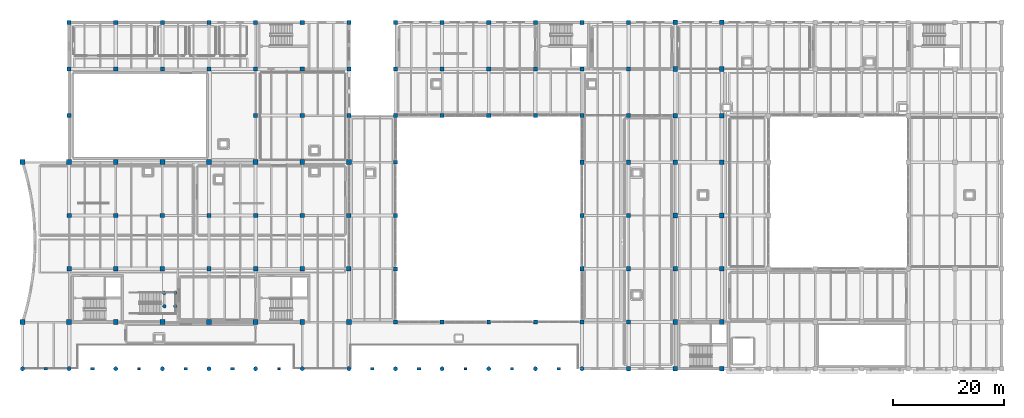
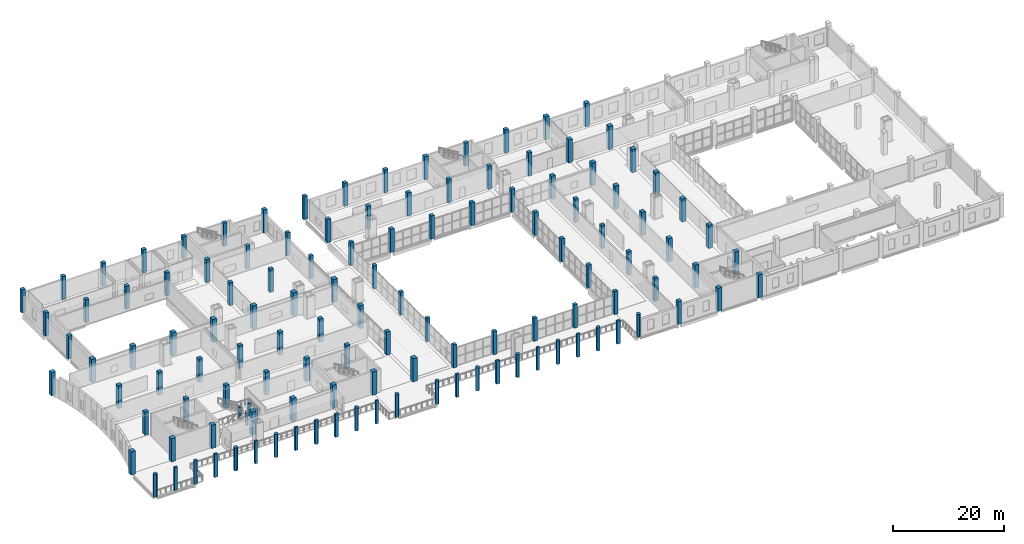
# One storey, part 1 of 66: 126 columns.
"""IFC4 building model written with IfcOpenShell, lengths in metres."""

from ifc_helpers import new_model, si_unit, direction, frame, origin, origin_2d, place, context, subcontext, project, spatial, rectangle, circle, extrude, material, material_profile, profile_set, type_object, element, save


model = new_model("IFC4")

# Units and contexts
model_context = context("Model", 3, precision=1e-05, world=origin(), true_north=direction((0.0, 1.0)))
body_context = subcontext(model_context, "Body", "Model", "MODEL_VIEW")
ifc_project = project(units=[si_unit("LENGTHUNIT", "METRE"), si_unit("AREAUNIT", "SQUARE_METRE"), si_unit("VOLUMEUNIT", "CUBIC_METRE"), si_unit("PLANEANGLEUNIT", "RADIAN"), si_unit("MASSUNIT", "GRAM", prefix="KILO")], contexts=[model_context])

# Site, building, storey
site_placement = place(None, origin())
site = spatial("IfcSite", under=ifc_project, at=site_placement, CompositionType="ELEMENT")
building_placement = place(site_placement, origin())
building = spatial("IfcBuilding", under=site, at=building_placement, Name="Zulmaris Art Gallery", CompositionType="ELEMENT")
storey_placement = place(building_placement, frame((0.0, 0.0, 5.39990234375)))
storey = spatial("IfcBuildingStorey", under=building, at=storey_placement, Name="L01", CompositionType="ELEMENT", Elevation=5.39990234375)

# Columns
ifc_material_1 = material(Name="Concrete C40/50", Category="concrete")
ifc_material_profile_1 = material_profile(ifc_material_1, circle(Radius=0.324951171875, at=origin_2d()), Name="COL DIA 650")
ifc_profile_set_1 = profile_set([ifc_material_profile_1], Name="Concrete C40/50")
column_type_1 = type_object("IfcColumnType", Name="COL-COL-DIA-650", PredefinedType="COLUMN", material=ifc_profile_set_1)
for number, where, z_axis, x_axis, name in (
    (1, (49.550048828125, 24.449951171875, 0.0), (0.0, 0.0, 1.0), (1.0, 0.0, 0.0), "Grand stair ST6 L01 landing column 1"),
    (2, (51.550048828125, 24.449951171875, 0.0), (0.0, 0.0, 1.0), (1.0, 0.0, 0.0), "Grand stair ST6 L01 landing column 2"),
    (3, (49.550048828125, 26.85009765625, 0.0), (0.0, 0.0, 1.0), (1.0, 0.0, 0.0), "Grand stair ST6 L01 landing column 3"),
    (4, (51.550048828125, 26.85009765625, 0.0), (0.0, 0.0, 1.0), (1.0, 0.0, 0.0), "Grand stair ST6 L01 landing column 4"),
):
    element("IfcColumn", number, at=place(storey_placement, frame(where, z_axis=z_axis, x_axis=x_axis)), inside=storey, type_object=column_type_1, Name=name, PredefinedType="COLUMN", context=body_context, shape_type="SweptSolid", body=[
        extrude(circle(Radius=0.324951171875, at=origin_2d()), origin(), (0.0, 0.0, 1.0), 2.800048828125),
    ])
ifc_material_profile_2 = material_profile(ifc_material_1, circle(Radius=0.375, at=origin_2d()), Name="COL DIA 750")
ifc_profile_set_2 = profile_set([ifc_material_profile_2], Name="Concrete C40/50")
column_type_2 = type_object("IfcColumnType", Name="COL-COL-DIA-750", PredefinedType="COLUMN", material=ifc_profile_set_2)
for number, where, z_axis, x_axis, name in (
    (5, (24.0, 13.199951171875, 0.0), (0.0, 0.0, 1.0), (1.0, 0.0, 0.0), "L01 structural column (24.0, 13.2)"),
    (6, (32.39990234375, 13.199951171875, 0.0), (0.0, 0.0, 1.0), (1.0, 0.0, 0.0), "L01 structural column (32.4, 13.2)"),
    (7, (40.800048828125, 13.199951171875, 0.0), (0.0, 0.0, 1.0), (1.0, 0.0, 0.0), "L01 structural column (40.8, 13.2)"),
    (8, (49.199951171875, 13.199951171875, 0.0), (0.0, 0.0, 1.0), (1.0, 0.0, 0.0), "L01 structural column (49.2, 13.2)"),
    (9, (57.60009765625, 13.199951171875, 0.0), (0.0, 0.0, 1.0), (1.0, 0.0, 0.0), "L01 structural column (57.6, 13.2)"),
    (10, (66.0, 13.199951171875, 0.0), (0.0, 0.0, 1.0), (1.0, 0.0, 0.0), "L01 structural column (66.0, 13.2)"),
    (11, (74.39990234375, 13.199951171875, 0.0), (0.0, 0.0, 1.0), (1.0, 0.0, 0.0), "L01 structural column (74.4, 13.2)"),
    (12, (82.800048828125, 13.199951171875, 0.0), (0.0, 0.0, 1.0), (1.0, 0.0, 0.0), "L01 structural column (82.8, 13.2)"),
    (13, (91.199951171875, 13.199951171875, 0.0), (0.0, 0.0, 1.0), (1.0, 0.0, 0.0), "L01 structural column (91.2, 13.2)"),
    (14, (99.60009765625, 13.199951171875, 0.0), (0.0, 0.0, 1.0), (1.0, 0.0, 0.0), "L01 structural column (99.6, 13.2)"),
    (15, (108.0, 13.199951171875, 0.0), (0.0, 0.0, 1.0), (1.0, 0.0, 0.0), "L01 structural column (108.0, 13.2)"),
    (16, (116.39990234375, 13.199951171875, 0.0), (0.0, 0.0, 1.0), (1.0, 0.0, 0.0), "L01 structural column (116.4, 13.2)"),
    (17, (124.800048828125, 13.199951171875, 0.0), (0.0, 0.0, 1.0), (1.0, 0.0, 0.0), "L01 structural column (124.8, 13.2)"),
):
    element("IfcColumn", number, at=place(storey_placement, frame(where, z_axis=z_axis, x_axis=x_axis)), inside=storey, type_object=column_type_2, Name=name, PredefinedType="COLUMN", context=body_context, shape_type="SweptSolid", body=[
        extrude(circle(Radius=0.375, at=origin_2d()), origin(), (0.0, 0.0, 1.0), 5.10009765625),
    ])
ifc_material_profile_3 = material_profile(ifc_material_1, rectangle(XDim=0.699951171875, YDim=0.699951171875, at=origin_2d()), Name="RC 700x700")
ifc_profile_set_3 = profile_set([ifc_material_profile_3], Name="Concrete C40/50")
column_type_3 = type_object("IfcColumnType", Name="COL-RC-700x700", PredefinedType="COLUMN", material=ifc_profile_set_3)
for number, where, z_axis, x_axis, name in (
    (18, (82.800048828125, 58.800048828125, 0.0), (0.0, 0.0, 1.0), (1.0, 0.0, 0.0), "L01 structural column (82.8, 58.8)"),
    (19, (91.199951171875, 21.60009765625, 0.0), (0.0, 0.0, 1.0), (1.0, 0.0, 0.0), "L01 structural column (91.2, 21.6)"),
    (20, (91.199951171875, 31.199951171875, 0.0), (0.0, 0.0, 1.0), (1.0, 0.0, 0.0), "L01 structural column (91.2, 31.2)"),
    (21, (91.199951171875, 40.800048828125, 0.0), (0.0, 0.0, 1.0), (1.0, 0.0, 0.0), "L01 structural column (91.2, 40.8)"),
    (22, (91.199951171875, 50.39990234375, 0.0), (0.0, 0.0, 1.0), (1.0, 0.0, 0.0), "L01 structural column (91.2, 50.4)"),
    (23, (91.199951171875, 58.800048828125, 0.0), (0.0, 0.0, 1.0), (1.0, 0.0, 0.0), "L01 structural column (91.2, 58.8)"),
    (24, (99.60009765625, 21.60009765625, 0.0), (0.0, 0.0, 1.0), (1.0, 0.0, 0.0), "L01 structural column (99.6, 21.6)"),
    (25, (108.0, 21.60009765625, 0.0), (0.0, 0.0, 1.0), (1.0, 0.0, 0.0), "L01 structural column (108.0, 21.6)"),
    (26, (116.39990234375, 21.60009765625, 0.0), (0.0, 0.0, 1.0), (1.0, 0.0, 0.0), "L01 structural column (116.4, 21.6)"),
    (27, (124.800048828125, 21.60009765625, 0.0), (0.0, 0.0, 1.0), (1.0, 0.0, 0.0), "L01 structural column (124.8, 21.6)"),
):
    element("IfcColumn", number, at=place(storey_placement, frame(where, z_axis=z_axis, x_axis=x_axis)), inside=storey, type_object=column_type_3, Name=name, PredefinedType="COLUMN", context=body_context, shape_type="SweptSolid", body=[
        extrude(rectangle(XDim=0.699951171875, YDim=0.699951171875, at=origin_2d()), origin(), (0.0, 0.0, 1.0), 5.10009765625),
    ])
ifc_material_profile_4 = material_profile(ifc_material_1, rectangle(XDim=0.75, YDim=0.75, at=origin_2d()), Name="RC 750x750")
ifc_profile_set_4 = profile_set([ifc_material_profile_4], Name="Concrete C40/50")
column_type_4 = type_object("IfcColumnType", Name="COL-RC-750x750", PredefinedType="COLUMN", material=ifc_profile_set_4)
for number, where, z_axis, x_axis, name in (
    (28, (32.39990234375, 58.800048828125, 0.0), (0.0, 0.0, 1.0), (1.0, 0.0, 0.0), "L01 structural column (32.4, 58.8)"),
    (29, (32.39990234375, 67.199951171875, 0.0), (0.0, 0.0, 1.0), (1.0, 0.0, 0.0), "L01 structural column (32.4, 67.2)"),
    (30, (32.39990234375, 75.60009765625, 0.0), (0.0, 0.0, 1.0), (1.0, 0.0, 0.0), "L01 structural column (32.4, 75.6)"),
    (31, (40.800048828125, 67.199951171875, 0.0), (0.0, 0.0, 1.0), (1.0, 0.0, 0.0), "L01 structural column (40.8, 67.2)"),
    (32, (40.800048828125, 75.60009765625, 0.0), (0.0, 0.0, 1.0), (1.0, 0.0, 0.0), "L01 structural column (40.8, 75.6)"),
    (33, (49.199951171875, 67.199951171875, 0.0), (0.0, 0.0, 1.0), (1.0, 0.0, 0.0), "L01 structural column (49.2, 67.2)"),
    (34, (49.199951171875, 75.60009765625, 0.0), (0.0, 0.0, 1.0), (1.0, 0.0, 0.0), "L01 structural column (49.2, 75.6)"),
    (35, (57.60009765625, 67.199951171875, 0.0), (0.0, 0.0, 1.0), (1.0, 0.0, 0.0), "L01 structural column (57.6, 67.2)"),
    (36, (57.60009765625, 75.60009765625, 0.0), (0.0, 0.0, 1.0), (1.0, 0.0, 0.0), "L01 structural column (57.6, 75.6)"),
    (37, (66.0, 58.800048828125, 0.0), (0.0, 0.0, 1.0), (1.0, 0.0, 0.0), "L01 structural column (66.0, 58.8)"),
    (38, (66.0, 67.199951171875, 0.0), (0.0, 0.0, 1.0), (1.0, 0.0, 0.0), "L01 structural column (66.0, 67.2)"),
    (39, (66.0, 75.60009765625, 0.0), (0.0, 0.0, 1.0), (1.0, 0.0, 0.0), "L01 structural column (66.0, 75.6)"),
    (40, (74.39990234375, 58.800048828125, 0.0), (0.0, 0.0, 1.0), (1.0, 0.0, 0.0), "L01 structural column (74.4, 58.8)"),
    (41, (74.39990234375, 67.199951171875, 0.0), (0.0, 0.0, 1.0), (1.0, 0.0, 0.0), "L01 structural column (74.4, 67.2)"),
    (42, (74.39990234375, 75.60009765625, 0.0), (0.0, 0.0, 1.0), (1.0, 0.0, 0.0), "L01 structural column (74.4, 75.6)"),
    (43, (82.800048828125, 67.199951171875, 0.0), (0.0, 0.0, 1.0), (1.0, 0.0, 0.0), "L01 structural column (82.8, 67.2)"),
    (44, (82.800048828125, 75.60009765625, 0.0), (0.0, 0.0, 1.0), (1.0, 0.0, 0.0), "L01 structural column (82.8, 75.6)"),
    (45, (91.199951171875, 67.199951171875, 0.0), (0.0, 0.0, 1.0), (1.0, 0.0, 0.0), "L01 structural column (91.2, 67.2)"),
    (46, (91.199951171875, 75.60009765625, 0.0), (0.0, 0.0, 1.0), (1.0, 0.0, 0.0), "L01 structural column (91.2, 75.6)"),
    (47, (99.60009765625, 58.800048828125, 0.0), (0.0, 0.0, 1.0), (1.0, 0.0, 0.0), "L01 structural column (99.6, 58.8)"),
    (48, (99.60009765625, 67.199951171875, 0.0), (0.0, 0.0, 1.0), (1.0, 0.0, 0.0), "L01 structural column (99.6, 67.2)"),
    (49, (99.60009765625, 75.60009765625, 0.0), (0.0, 0.0, 1.0), (1.0, 0.0, 0.0), "L01 structural column (99.6, 75.6)"),
    (50, (108.0, 58.800048828125, 0.0), (0.0, 0.0, 1.0), (1.0, 0.0, 0.0), "L01 structural column (108.0, 58.8)"),
    (51, (108.0, 67.199951171875, 0.0), (0.0, 0.0, 1.0), (1.0, 0.0, 0.0), "L01 structural column (108.0, 67.2)"),
    (52, (108.0, 75.60009765625, 0.0), (0.0, 0.0, 1.0), (1.0, 0.0, 0.0), "L01 structural column (108.0, 75.6)"),
    (53, (116.39990234375, 58.800048828125, 0.0), (0.0, 0.0, 1.0), (1.0, 0.0, 0.0), "L01 structural column (116.4, 58.8)"),
    (54, (116.39990234375, 67.199951171875, 0.0), (0.0, 0.0, 1.0), (1.0, 0.0, 0.0), "L01 structural column (116.4, 67.2)"),
    (55, (116.39990234375, 75.60009765625, 0.0), (0.0, 0.0, 1.0), (1.0, 0.0, 0.0), "L01 structural column (116.4, 75.6)"),
    (56, (124.800048828125, 31.199951171875, 0.0), (0.0, 0.0, 1.0), (1.0, 0.0, 0.0), "L01 structural column (124.8, 31.2)"),
    (57, (124.800048828125, 40.800048828125, 0.0), (0.0, 0.0, 1.0), (1.0, 0.0, 0.0), "L01 structural column (124.8, 40.8)"),
    (58, (124.800048828125, 50.39990234375, 0.0), (0.0, 0.0, 1.0), (1.0, 0.0, 0.0), "L01 structural column (124.8, 50.4)"),
    (59, (124.800048828125, 58.800048828125, 0.0), (0.0, 0.0, 1.0), (1.0, 0.0, 0.0), "L01 structural column (124.8, 58.8)"),
    (60, (124.800048828125, 67.199951171875, 0.0), (0.0, 0.0, 1.0), (1.0, 0.0, 0.0), "L01 structural column (124.8, 67.2)"),
    (61, (124.800048828125, 75.60009765625, 0.0), (0.0, 0.0, 1.0), (1.0, 0.0, 0.0), "L01 structural column (124.8, 75.6)"),
    (62, (133.199951171875, 13.199951171875, 0.0), (0.0, 0.0, 1.0), (1.0, 0.0, 0.0), "L01 structural column (133.2, 13.2)"),
    (63, (133.199951171875, 21.60009765625, 0.0), (0.0, 0.0, 1.0), (1.0, 0.0, 0.0), "L01 structural column (133.2, 21.6)"),
    (64, (133.199951171875, 31.199951171875, 0.0), (0.0, 0.0, 1.0), (1.0, 0.0, 0.0), "L01 structural column (133.2, 31.2)"),
    (65, (133.199951171875, 40.800048828125, 0.0), (0.0, 0.0, 1.0), (1.0, 0.0, 0.0), "L01 structural column (133.2, 40.8)"),
    (66, (133.199951171875, 50.39990234375, 0.0), (0.0, 0.0, 1.0), (1.0, 0.0, 0.0), "L01 structural column (133.2, 50.4)"),
    (67, (133.199951171875, 58.800048828125, 0.0), (0.0, 0.0, 1.0), (1.0, 0.0, 0.0), "L01 structural column (133.2, 58.8)"),
    (68, (133.199951171875, 67.199951171875, 0.0), (0.0, 0.0, 1.0), (1.0, 0.0, 0.0), "L01 structural column (133.2, 67.2)"),
    (69, (133.199951171875, 75.60009765625, 0.0), (0.0, 0.0, 1.0), (1.0, 0.0, 0.0), "L01 structural column (133.2, 75.6)"),
):
    element("IfcColumn", number, at=place(storey_placement, frame(where, z_axis=z_axis, x_axis=x_axis)), inside=storey, type_object=column_type_4, Name=name, PredefinedType="COLUMN", context=body_context, shape_type="SweptSolid", body=[
        extrude(rectangle(XDim=0.75, YDim=0.75, at=origin_2d()), origin(), (0.0, 0.0, 1.0), 5.10009765625),
    ])
ifc_material_profile_5 = material_profile(ifc_material_1, rectangle(XDim=0.800048828125, YDim=0.800048828125, at=origin_2d()), Name="RC 800x800")
ifc_profile_set_5 = profile_set([ifc_material_profile_5], Name="Concrete C40/50")
column_type_5 = type_object("IfcColumnType", Name="COL-RC-800x800", PredefinedType="COLUMN", material=ifc_profile_set_5)
for number, where, z_axis, x_axis, name in (
    (70, (32.39990234375, 31.199951171875, 0.0), (0.0, 0.0, 1.0), (1.0, 0.0, 0.0), "L01 structural column (32.4, 31.2)"),
    (71, (32.39990234375, 40.800048828125, 0.0), (0.0, 0.0, 1.0), (1.0, 0.0, 0.0), "L01 structural column (32.4, 40.8)"),
    (72, (40.800048828125, 31.199951171875, 0.0), (0.0, 0.0, 1.0), (1.0, 0.0, 0.0), "L01 structural column (40.8, 31.2)"),
    (73, (40.800048828125, 40.800048828125, 0.0), (0.0, 0.0, 1.0), (1.0, 0.0, 0.0), "L01 structural column (40.8, 40.8)"),
    (74, (49.199951171875, 31.199951171875, 0.0), (0.0, 0.0, 1.0), (1.0, 0.0, 0.0), "L01 structural column (49.2, 31.2)"),
    (75, (49.199951171875, 40.800048828125, 0.0), (0.0, 0.0, 1.0), (1.0, 0.0, 0.0), "L01 structural column (49.2, 40.8)"),
    (76, (57.60009765625, 31.199951171875, 0.0), (0.0, 0.0, 1.0), (1.0, 0.0, 0.0), "L01 structural column (57.6, 31.2)"),
    (77, (57.60009765625, 40.800048828125, 0.0), (0.0, 0.0, 1.0), (1.0, 0.0, 0.0), "L01 structural column (57.6, 40.8)"),
    (78, (66.0, 31.199951171875, 0.0), (0.0, 0.0, 1.0), (1.0, 0.0, 0.0), "L01 structural column (66.0, 31.2)"),
    (79, (66.0, 40.800048828125, 0.0), (0.0, 0.0, 1.0), (1.0, 0.0, 0.0), "L01 structural column (66.0, 40.8)"),
    (80, (74.39990234375, 31.199951171875, 0.0), (0.0, 0.0, 1.0), (1.0, 0.0, 0.0), "L01 structural column (74.4, 31.2)"),
    (81, (74.39990234375, 40.800048828125, 0.0), (0.0, 0.0, 1.0), (1.0, 0.0, 0.0), "L01 structural column (74.4, 40.8)"),
    (82, (82.800048828125, 31.199951171875, 0.0), (0.0, 0.0, 1.0), (1.0, 0.0, 0.0), "L01 structural column (82.8, 31.2)"),
    (83, (82.800048828125, 40.800048828125, 0.0), (0.0, 0.0, 1.0), (1.0, 0.0, 0.0), "L01 structural column (82.8, 40.8)"),
):
    element("IfcColumn", number, at=place(storey_placement, frame(where, z_axis=z_axis, x_axis=x_axis)), inside=storey, type_object=column_type_5, Name=name, PredefinedType="COLUMN", context=body_context, shape_type="SweptSolid", body=[
        extrude(rectangle(XDim=0.800048828125, YDim=0.800048828125, at=origin_2d()), origin(), (0.0, 0.0, 1.0), 5.10009765625),
    ])
ifc_material_2 = material(Name="Concrete C50/60", Category="concrete")
ifc_material_profile_6 = material_profile(ifc_material_2, rectangle(XDim=0.85009765625, YDim=0.85009765625, at=origin_2d()), Name="RC 850x850")
ifc_profile_set_6 = profile_set([ifc_material_profile_6], Name="Concrete C50/60")
column_type_6 = type_object("IfcColumnType", Name="COL-RC-850x850", PredefinedType="COLUMN", material=ifc_profile_set_6)
for number, where, z_axis, x_axis, name in (
    (84, (141.60009765625, 13.199951171875, 0.0), (0.0, 0.0, 1.0), (1.0, 0.0, 0.0), "L01 structural column (141.6, 13.2)"),
    (85, (141.60009765625, 21.60009765625, 0.0), (0.0, 0.0, 1.0), (1.0, 0.0, 0.0), "L01 structural column (141.6, 21.6)"),
    (86, (141.60009765625, 31.199951171875, 0.0), (0.0, 0.0, 1.0), (1.0, 0.0, 0.0), "L01 structural column (141.6, 31.2)"),
    (87, (141.60009765625, 40.800048828125, 0.0), (0.0, 0.0, 1.0), (1.0, 0.0, 0.0), "L01 structural column (141.6, 40.8)"),
    (88, (141.60009765625, 50.39990234375, 0.0), (0.0, 0.0, 1.0), (1.0, 0.0, 0.0), "L01 structural column (141.6, 50.4)"),
    (89, (141.60009765625, 58.800048828125, 0.0), (0.0, 0.0, 1.0), (1.0, 0.0, 0.0), "L01 structural column (141.6, 58.8)"),
    (90, (141.60009765625, 67.199951171875, 0.0), (0.0, 0.0, 1.0), (1.0, 0.0, 0.0), "L01 structural column (141.6, 67.2)"),
    (91, (141.60009765625, 75.60009765625, 0.0), (0.0, 0.0, 1.0), (1.0, 0.0, 0.0), "L01 structural column (141.6, 75.6)"),
    (92, (150.0, 13.199951171875, 0.0), (0.0, 0.0, 1.0), (1.0, 0.0, 0.0), "L01 structural column (150.0, 13.2)"),
    (93, (150.0, 21.60009765625, 0.0), (0.0, 0.0, 1.0), (1.0, 0.0, 0.0), "L01 structural column (150.0, 21.6)"),
    (94, (150.0, 31.199951171875, 0.0), (0.0, 0.0, 1.0), (1.0, 0.0, 0.0), "L01 structural column (150.0, 31.2)"),
    (95, (150.0, 40.800048828125, 0.0), (0.0, 0.0, 1.0), (1.0, 0.0, 0.0), "L01 structural column (150.0, 40.8)"),
    (96, (150.0, 50.39990234375, 0.0), (0.0, 0.0, 1.0), (1.0, 0.0, 0.0), "L01 structural column (150.0, 50.4)"),
    (97, (150.0, 58.800048828125, 0.0), (0.0, 0.0, 1.0), (1.0, 0.0, 0.0), "L01 structural column (150.0, 58.8)"),
    (98, (150.0, 67.199951171875, 0.0), (0.0, 0.0, 1.0), (1.0, 0.0, 0.0), "L01 structural column (150.0, 67.2)"),
    (99, (150.0, 75.60009765625, 0.0), (0.0, 0.0, 1.0), (1.0, 0.0, 0.0), "L01 structural column (150.0, 75.6)"),
):
    element("IfcColumn", number, at=place(storey_placement, frame(where, z_axis=z_axis, x_axis=x_axis)), inside=storey, type_object=column_type_6, Name=name, PredefinedType="COLUMN", context=body_context, shape_type="SweptSolid", body=[
        extrude(rectangle(XDim=0.85009765625, YDim=0.85009765625, at=origin_2d()), origin(), (0.0, 0.0, 1.0), 5.10009765625),
    ])
ifc_material_profile_7 = material_profile(ifc_material_2, rectangle(XDim=0.89990234375, YDim=0.89990234375, at=origin_2d()), Name="RC 900x900")
ifc_profile_set_7 = profile_set([ifc_material_profile_7], Name="Concrete C50/60")
column_type_7 = type_object("IfcColumnType", Name="COL-RC-900x900", PredefinedType="COLUMN", material=ifc_profile_set_7)
for number, where, z_axis, x_axis, name in (
    (100, (24.0, 21.60009765625, 0.0), (0.0, 0.0, 1.0), (1.0, 0.0, 0.0), "L01 structural column (24.0, 21.6)"),
    (101, (24.0, 50.39990234375, 0.0), (0.0, 0.0, 1.0), (1.0, 0.0, 0.0), "L01 structural column (24.0, 50.4)"),
    (102, (32.39990234375, 21.60009765625, 0.0), (0.0, 0.0, 1.0), (1.0, 0.0, 0.0), "L01 structural column (32.4, 21.6)"),
    (103, (32.39990234375, 50.39990234375, 0.0), (0.0, 0.0, 1.0), (1.0, 0.0, 0.0), "L01 structural column (32.4, 50.4)"),
    (104, (40.800048828125, 21.60009765625, 0.0), (0.0, 0.0, 1.0), (1.0, 0.0, 0.0), "L01 structural column (40.8, 21.6)"),
    (105, (40.800048828125, 50.39990234375, 0.0), (0.0, 0.0, 1.0), (1.0, 0.0, 0.0), "L01 structural column (40.8, 50.4)"),
    (106, (49.199951171875, 21.60009765625, 0.0), (0.0, 0.0, 1.0), (1.0, 0.0, 0.0), "L01 structural column (49.2, 21.6)"),
    (107, (49.199951171875, 50.39990234375, 0.0), (0.0, 0.0, 1.0), (1.0, 0.0, 0.0), "L01 structural column (49.2, 50.4)"),
    (108, (57.60009765625, 21.60009765625, 0.0), (0.0, 0.0, 1.0), (1.0, 0.0, 0.0), "L01 structural column (57.6, 21.6)"),
    (109, (57.60009765625, 50.39990234375, 0.0), (0.0, 0.0, 1.0), (1.0, 0.0, 0.0), "L01 structural column (57.6, 50.4)"),
    (110, (66.0, 21.60009765625, 0.0), (0.0, 0.0, 1.0), (1.0, 0.0, 0.0), "L01 structural column (66.0, 21.6)"),
    (111, (66.0, 50.39990234375, 0.0), (0.0, 0.0, 1.0), (1.0, 0.0, 0.0), "L01 structural column (66.0, 50.4)"),
    (112, (74.39990234375, 21.60009765625, 0.0), (0.0, 0.0, 1.0), (1.0, 0.0, 0.0), "L01 structural column (74.4, 21.6)"),
    (113, (74.39990234375, 50.39990234375, 0.0), (0.0, 0.0, 1.0), (1.0, 0.0, 0.0), "L01 structural column (74.4, 50.4)"),
    (114, (82.800048828125, 21.60009765625, 0.0), (0.0, 0.0, 1.0), (1.0, 0.0, 0.0), "L01 structural column (82.8, 21.6)"),
    (115, (82.800048828125, 50.39990234375, 0.0), (0.0, 0.0, 1.0), (1.0, 0.0, 0.0), "L01 structural column (82.8, 50.4)"),
):
    element("IfcColumn", number, at=place(storey_placement, frame(where, z_axis=z_axis, x_axis=x_axis)), inside=storey, type_object=column_type_7, Name=name, PredefinedType="COLUMN", context=body_context, shape_type="SweptSolid", body=[
        extrude(rectangle(XDim=0.89990234375, YDim=0.89990234375, at=origin_2d()), origin(), (0.0, 0.0, 1.0), 5.10009765625),
    ])
ifc_material_profile_8 = material_profile(ifc_material_1, rectangle(XDim=0.5, YDim=0.35009765625, at=origin_2d()), Name="PIL 500x350")
ifc_profile_set_8 = profile_set([ifc_material_profile_8], Name="Concrete C40/50")
column_type_8 = type_object("IfcColumnType", Name="PILASTER-01", PredefinedType="PILASTER", material=ifc_profile_set_8)
for number, where, z_axis, x_axis, name in (
    (116, (45.0, 13.199951171875, 0.0), (0.0, 0.0, 1.0), (1.0, 0.0, 0.0), "L01 fluted limestone pilaster 3"),
    (117, (70.199951171875, 13.199951171875, 0.0), (0.0, 0.0, 1.0), (1.0, 0.0, 0.0), "L01 fluted limestone pilaster 6"),
    (118, (103.800048828125, 13.199951171875, 0.0), (0.0, 0.0, 1.0), (1.0, 0.0, 0.0), "L01 fluted limestone pilaster 9"),
):
    element("IfcColumn", number, at=place(storey_placement, frame(where, z_axis=z_axis, x_axis=x_axis)), inside=storey, type_object=column_type_8, Name=name, PredefinedType="PILASTER", context=body_context, shape_type="SweptSolid", body=[
        extrude(rectangle(XDim=0.5, YDim=0.35009765625, at=origin_2d()), origin(), (0.0, 0.0, 1.0), 5.10009765625),
    ])
ifc_material_profile_9 = material_profile(ifc_material_1, rectangle(XDim=0.60009765625, YDim=0.39990234375, at=origin_2d()), Name="PIL 600x400")
ifc_profile_set_9 = profile_set([ifc_material_profile_9], Name="Concrete C40/50")
column_type_9 = type_object("IfcColumnType", Name="PILASTER-02", PredefinedType="PILASTER", material=ifc_profile_set_9)
for number, where, z_axis, x_axis, name in (
    (119, (28.199951171875, 13.199951171875, 0.0), (0.0, 0.0, 1.0), (1.0, 0.0, 0.0), "L01 fluted limestone pilaster 1"),
    (120, (53.39990234375, 13.199951171875, 0.0), (0.0, 0.0, 1.0), (1.0, 0.0, 0.0), "L01 fluted limestone pilaster 4"),
    (121, (87.0, 13.199951171875, 0.0), (0.0, 0.0, 1.0), (1.0, 0.0, 0.0), "L01 fluted limestone pilaster 7"),
    (122, (112.199951171875, 13.199951171875, 0.0), (0.0, 0.0, 1.0), (1.0, 0.0, 0.0), "L01 fluted limestone pilaster 10"),
):
    element("IfcColumn", number, at=place(storey_placement, frame(where, z_axis=z_axis, x_axis=x_axis)), inside=storey, type_object=column_type_9, Name=name, PredefinedType="PILASTER", context=body_context, shape_type="SweptSolid", body=[
        extrude(rectangle(XDim=0.60009765625, YDim=0.39990234375, at=origin_2d()), origin(), (0.0, 0.0, 1.0), 5.10009765625),
    ])
ifc_material_profile_10 = material_profile(ifc_material_1, rectangle(XDim=0.699951171875, YDim=0.449951171875, at=origin_2d()), Name="PIL 700x450")
ifc_profile_set_10 = profile_set([ifc_material_profile_10], Name="Concrete C40/50")
column_type_10 = type_object("IfcColumnType", Name="PILASTER-03", PredefinedType="PILASTER", material=ifc_profile_set_10)
for number, where, z_axis, x_axis, name in (
    (123, (36.60009765625, 13.199951171875, 0.0), (0.0, 0.0, 1.0), (1.0, 0.0, 0.0), "L01 fluted limestone pilaster 2"),
    (124, (61.800048828125, 13.199951171875, 0.0), (0.0, 0.0, 1.0), (1.0, 0.0, 0.0), "L01 fluted limestone pilaster 5"),
    (125, (95.39990234375, 13.199951171875, 0.0), (0.0, 0.0, 1.0), (1.0, 0.0, 0.0), "L01 fluted limestone pilaster 8"),
    (126, (120.60009765625, 13.199951171875, 0.0), (0.0, 0.0, 1.0), (1.0, 0.0, 0.0), "L01 fluted limestone pilaster 11"),
):
    element("IfcColumn", number, at=place(storey_placement, frame(where, z_axis=z_axis, x_axis=x_axis)), inside=storey, type_object=column_type_10, Name=name, PredefinedType="PILASTER", context=body_context, shape_type="SweptSolid", body=[
        extrude(rectangle(XDim=0.699951171875, YDim=0.449951171875, at=origin_2d()), origin(), (0.0, 0.0, 1.0), 5.10009765625),
    ])

save(model, "model.ifc")
